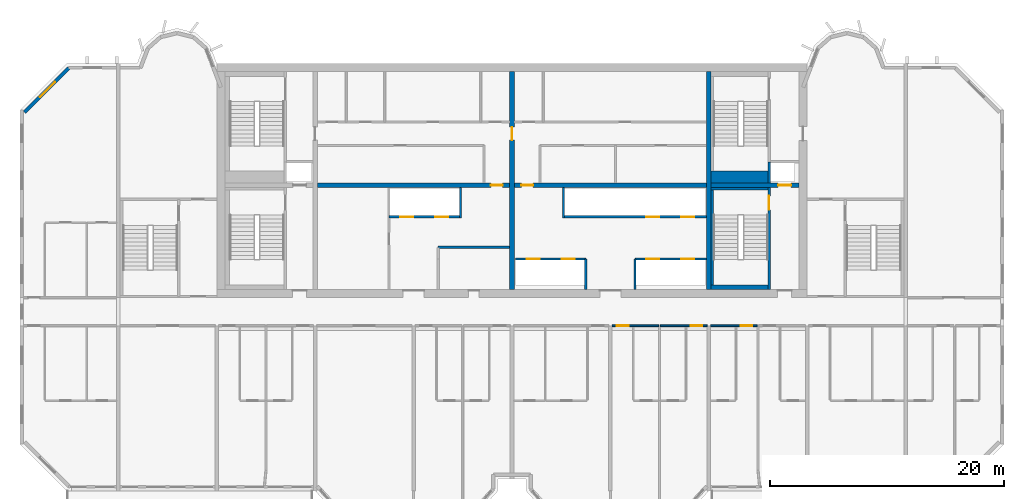
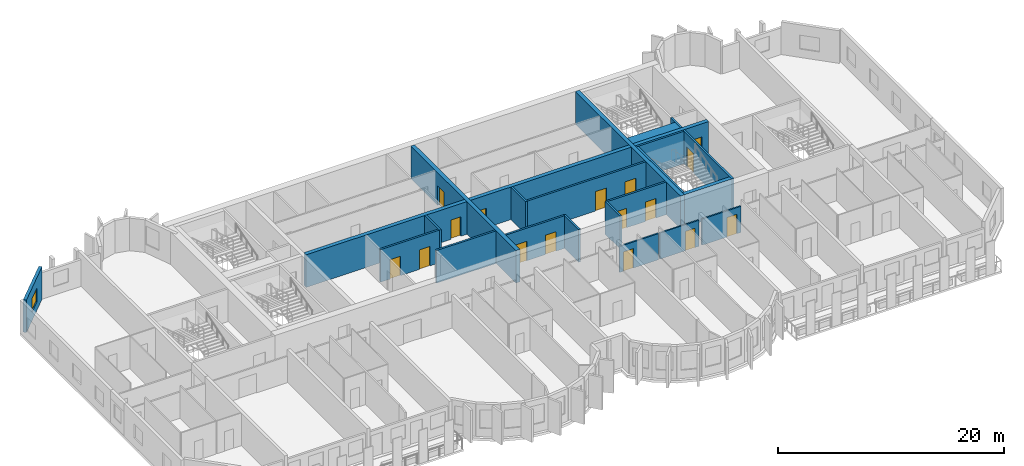
# One storey, part 6 of 13: 24 walls, 16 doors, 1 window, 17 openings.
"""IFC4 building model written with IfcOpenShell, lengths in metres."""

from ifc_helpers import new_model, si_unit, direction, frame, frame_2d, origin, place, context, subcontext, project, spatial, rectangle, extrude, source, transform, mapped, material, layer, layer_set, type_object, element, fill, save


model = new_model("IFC4")

# Units and contexts
model_context = context("Model", 3, precision=1e-05, world=origin(), true_north=direction((0.0, 1.0)))
body_context = subcontext(model_context, "Body", "Model", "MODEL_VIEW")
ifc_project = project(units=[si_unit("LENGTHUNIT", "METRE"), si_unit("AREAUNIT", "SQUARE_METRE"), si_unit("VOLUMEUNIT", "CUBIC_METRE"), si_unit("PLANEANGLEUNIT", "RADIAN"), si_unit("MASSUNIT", "GRAM", prefix="KILO")], contexts=[model_context])

# Site, building, storey
site_placement = place(None, origin())
site = spatial("IfcSite", under=ifc_project, at=site_placement, CompositionType="ELEMENT")
building_placement = place(site_placement, origin())
building = spatial("IfcBuilding", under=site, at=building_placement, Name="Vanashikhar Sky Hotel", CompositionType="ELEMENT")
storey_placement = place(building_placement, frame((0.0, 0.0, 159.199951171875)))
storey = spatial("IfcBuildingStorey", under=building, at=storey_placement, Name="L38", CompositionType="ELEMENT", Elevation=159.199951171875)

# Wall, opening, door
ifc_material_1 = material(Name="Concrete M60", Category="concrete")
ifc_layer_1 = layer(ifc_material_1, 0.39990234375)
ifc_layer_set_1 = layer_set([ifc_layer_1], Name="RC core inner wall 400 Concrete M60")
wall_type_1 = type_object("IfcWallType", Name="RC core inner wall 400 Concrete M60", PredefinedType="SHEAR", material=ifc_layer_set_1)
shared_shape_1 = source(origin(), body_context, "Body", "SweptSolid", [
    extrude(rectangle(XDim=18.60009765625, YDim=0.39990234375, at=frame_2d((9.300048828125, 0.0))), origin(), (0.0, 0.0, 1.0), 3.52001953125),
])
wall_1_placement = place(storey_placement, frame((50.39990234375, 22.699951171875, 0.0), z_axis=(0.0, 0.0, 1.0), x_axis=(0.0, 1.0, 0.0)))
wall_1 = element("IfcWall", 1, at=wall_1_placement, inside=storey, type_object=wall_type_1, Name="KW-L38-KX2", PredefinedType="SHEAR", context=body_context, shape_type="MappedRepresentation", body=[
    mapped(shared_shape_1, transform((0.0, 0.0, 0.0), scale=1.0)),
])
shared_shape_2 = source(origin(), body_context, "Body", "SweptSolid", [
    extrude(rectangle(XDim=1.10009765625, YDim=2.10009765625, at=frame_2d((0.550048828125, 1.050048828125))), frame((0.0, 0.2099609375, 0.0), z_axis=(0.0, -1.0, 0.0), x_axis=(1.0, 0.0, 0.0)), (0.0, 0.0, 1.0), 0.419921875),
])
opening_1_placement = place(wall_1_placement, frame((12.75, 0.0, 0.0)))
opening_1 = element("IfcOpeningElement", 2, at=opening_1_placement, cuts=wall_1, Name="Opening DC-4-C", PredefinedType="OPENING", context=body_context, shape_type="MappedRepresentation", body=[
    mapped(shared_shape_2, transform((0.0, 0.0, 0.0), scale=1.0)),
])
ifc_material_2 = material(Name="Steel", Category="steel")
door_type_1 = type_object("IfcDoorType", Name="Service door 1100 FD60", OperationType="NOTDEFINED", PredefinedType="DOOR", material=ifc_material_2)
shared_shape_3 = source(origin(), body_context, "Body", "SweptSolid", [
    extrude(rectangle(XDim=1.10009765625, YDim=2.10009765625, at=frame_2d((0.550048828125, 1.050048828125))), frame((0.0, 0.02490234375, 0.0), z_axis=(0.0, -1.0, 0.0), x_axis=(1.0, 0.0, 0.0)), (0.0, 0.0, 1.0), 0.050048828125),
])
door_1_placement = place(opening_1_placement, origin())
door_1 = element("IfcDoor", 3, at=door_1_placement, inside=storey, type_object=door_type_1, Name="Service door 1100 FD60", OperationType="SINGLE_SWING_RIGHT", OverallHeight=2.10009765625, OverallWidth=1.10009765625, PredefinedType="DOOR", context=body_context, shape_type="MappedRepresentation", body=[
    mapped(shared_shape_3, transform((0.0, 0.0, 0.0), scale=1.0)),
])
fill(opening_1, door_1)

# Wall
wall_2_placement = place(storey_placement, frame((67.199951171875, 22.699951171875, 0.0), z_axis=(0.0, 0.0, 1.0), x_axis=(0.0, 1.0, 0.0)))
element("IfcWall", 4, at=wall_2_placement, inside=storey, type_object=wall_type_1, Name="KW-L38-KX3", PredefinedType="SHEAR", context=body_context, shape_type="MappedRepresentation", body=[
    mapped(shared_shape_1, transform((0.0, 0.0, 0.0), scale=1.0)),
])

# Wall, opening, door
shared_shape_4 = source(origin(), body_context, "Body", "SweptSolid", [
    extrude(rectangle(XDim=7.5, YDim=0.39990234375, at=frame_2d((3.75, 0.0))), origin(), (0.0, 0.0, 1.0), 3.52001953125),
])
wall_3_placement = place(storey_placement, frame((67.39990234375, 31.60009765625, 0.0), z_axis=(0.0, 0.0, 1.0), x_axis=(1.0, 0.0, 0.0)))
wall_3 = element("IfcWall", 5, at=wall_3_placement, inside=storey, type_object=wall_type_1, Name="KW-L38-KY4", PredefinedType="SHEAR", context=body_context, shape_type="MappedRepresentation", body=[
    mapped(shared_shape_4, transform((0.0, 0.0, 0.0), scale=1.0)),
])
opening_2_placement = place(wall_3_placement, frame((5.72509765625, 0.0, 0.0)))
opening_2 = element("IfcOpeningElement", 6, at=opening_2_placement, cuts=wall_3, Name="Opening LD", PredefinedType="OPENING", context=body_context, shape_type="MappedRepresentation", body=[
    mapped(shared_shape_2, transform((0.0, 0.0, 0.0), scale=1.0)),
])
ifc_material_3 = material(Name="Stainless steel", Category="steel")
door_type_2 = type_object("IfcDoorType", Name="Lift landing door 1100", OperationType="NOTDEFINED", PredefinedType="DOOR", material=ifc_material_3)
door_2_placement = place(opening_2_placement, origin())
door_2 = element("IfcDoor", 7, at=door_2_placement, inside=storey, type_object=door_type_2, Name="Lift landing door 1100", OperationType="SLIDING_TO_RIGHT", OverallHeight=2.10009765625, OverallWidth=1.10009765625, PredefinedType="DOOR", context=body_context, shape_type="MappedRepresentation", body=[
    mapped(shared_shape_3, transform((0.0, 0.0, 0.0), scale=1.0)),
])
fill(opening_2, door_2)

shared_shape_5 = source(origin(), body_context, "Body", "SweptSolid", [
    extrude(rectangle(XDim=16.39990234375, YDim=0.39990234375, at=frame_2d((8.199951171875, 0.0))), origin(), (0.0, 0.0, 1.0), 3.52001953125),
])
wall_4_placement = place(storey_placement, frame((33.800048828125, 31.60009765625, 0.0), z_axis=(0.0, 0.0, 1.0), x_axis=(1.0, 0.0, 0.0)))
wall_4 = element("IfcWall", 8, at=wall_4_placement, inside=storey, type_object=wall_type_1, Name="KW-L38-KY2", PredefinedType="SHEAR", context=body_context, shape_type="MappedRepresentation", body=[
    mapped(shared_shape_5, transform((0.0, 0.0, 0.0), scale=1.0)),
])
shared_shape_6 = source(origin(), body_context, "Body", "SweptSolid", [
    extrude(rectangle(XDim=1.0, YDim=2.10009765625, at=frame_2d((0.5, 1.050048828125))), frame((0.0, 0.2099609375, 0.0), z_axis=(0.0, -1.0, 0.0), x_axis=(1.0, 0.0, 0.0)), (0.0, 0.0, 1.0), 0.419921875),
])
opening_3_placement = place(wall_4_placement, frame((14.800048828125, 0.0, 0.0)))
opening_3 = element("IfcOpeningElement", 9, at=opening_3_placement, cuts=wall_4, Name="Opening DC-4", PredefinedType="OPENING", context=body_context, shape_type="MappedRepresentation", body=[
    mapped(shared_shape_6, transform((0.0, 0.0, 0.0), scale=1.0)),
])
door_type_3 = type_object("IfcDoorType", Name="Service door 1000 FD60", OperationType="NOTDEFINED", PredefinedType="DOOR", material=ifc_material_2)
shared_shape_7 = source(origin(), body_context, "Body", "SweptSolid", [
    extrude(rectangle(XDim=1.0, YDim=2.10009765625, at=frame_2d((0.5, 1.050048828125))), frame((0.0, 0.02490234375, 0.0), z_axis=(0.0, -1.0, 0.0), x_axis=(1.0, 0.0, 0.0)), (0.0, 0.0, 1.0), 0.050048828125),
])
door_3_placement = place(opening_3_placement, origin())
door_3 = element("IfcDoor", 10, at=door_3_placement, inside=storey, type_object=door_type_3, Name="Service door 1000 FD60", OperationType="SINGLE_SWING_LEFT", OverallHeight=2.10009765625, OverallWidth=1.0, PredefinedType="DOOR", context=body_context, shape_type="MappedRepresentation", body=[
    mapped(shared_shape_7, transform((0.0, 0.0, 0.0), scale=1.0)),
])
fill(opening_3, door_3)

wall_5_placement = place(storey_placement, frame((50.60009765625, 31.60009765625, 0.0), z_axis=(0.0, 0.0, 1.0), x_axis=(1.0, 0.0, 0.0)))
wall_5 = element("IfcWall", 11, at=wall_5_placement, inside=storey, type_object=wall_type_1, Name="KW-L38-KY3", PredefinedType="SHEAR", context=body_context, shape_type="MappedRepresentation", body=[
    mapped(shared_shape_5, transform((0.0, 0.0, 0.0), scale=1.0)),
])
opening_4_placement = place(wall_5_placement, frame((0.60009765625, 0.0, 0.0)))
opening_4 = element("IfcOpeningElement", 12, at=opening_4_placement, cuts=wall_5, Name="Opening DC-4", PredefinedType="OPENING", context=body_context, shape_type="MappedRepresentation", body=[
    mapped(shared_shape_6, transform((0.0, 0.0, 0.0), scale=1.0)),
])
door_4_placement = place(opening_4_placement, origin())
door_4 = element("IfcDoor", 13, at=door_4_placement, inside=storey, type_object=door_type_3, Name="Service door 1000 FD60", OperationType="SINGLE_SWING_RIGHT", OverallHeight=2.10009765625, OverallWidth=1.0, PredefinedType="DOOR", context=body_context, shape_type="MappedRepresentation", body=[
    mapped(shared_shape_7, transform((0.0, 0.0, 0.0), scale=1.0)),
])
fill(opening_4, door_4)

# Wall, opening, window
ifc_material_4 = material(Name="Concrete M50", Category="concrete")
ifc_layer_2 = layer(ifc_material_4, 0.300048828125)
ifc_layer_set_2 = layer_set([ifc_layer_2], Name="Lobe wall 300")
wall_type_2 = type_object("IfcWallType", Name="Lobe wall 300", PredefinedType="SOLIDWALL", material=ifc_layer_set_2)
shared_shape_8 = source(origin(), body_context, "Body", "SweptSolid", [
    extrude(rectangle(XDim=5.32568359375, YDim=0.300048828125, at=frame_2d((2.662841796875, 0.0))), origin(), (0.0, 0.0, 1.0), 3.52001953125),
])
wall_6_placement = place(storey_placement, frame((12.565673828125, 41.60009765625, 0.0), z_axis=(0.0, 0.0, 1.0), x_axis=(-0.707083859269, -0.707129702361, 0.0)))
wall_6 = element("IfcWall", 14, at=wall_6_placement, inside=storey, type_object=wall_type_2, Name="Corner wall", PredefinedType="SOLIDWALL", context=body_context, shape_type="MappedRepresentation", body=[
    mapped(shared_shape_8, transform((0.0, 0.0, 0.0), scale=1.0)),
])
shared_shape_9 = source(origin(), body_context, "Body", "SweptSolid", [
    extrude(rectangle(XDim=1.800048828125, YDim=1.5, at=frame_2d((0.89990234375, 0.75))), frame((0.0, 0.16015625, 0.0), z_axis=(0.0, -1.0, 0.0), x_axis=(1.0, 0.0, 0.0)), (0.0, 0.0, 1.0), 0.320068359375),
])
opening_5_placement = place(wall_6_placement, frame((1.689453125, 0.0, 0.89990234375)))
opening_5 = element("IfcOpeningElement", 15, at=opening_5_placement, cuts=wall_6, Name="Opening WN-4", PredefinedType="OPENING", context=body_context, shape_type="MappedRepresentation", body=[
    mapped(shared_shape_9, transform((0.0, 0.0, 0.0), scale=1.0)),
])
ifc_material_5 = material(Name="Glass", Category="glass")
window_type = type_object("IfcWindowType", Name="Corner window 1800 x 1500", PartitioningType="SINGLE_PANEL", PredefinedType="WINDOW", material=ifc_material_5)
shared_shape_10 = source(origin(), body_context, "Body", "SweptSolid", [
    extrude(rectangle(XDim=1.800048828125, YDim=1.5, at=frame_2d((0.89990234375, 0.75))), frame((0.0, 0.030029296875, 0.0), z_axis=(0.0, -1.0, 0.0), x_axis=(1.0, 0.0, 0.0)), (0.0, 0.0, 1.0), 0.06005859375),
])
window_placement = place(opening_5_placement, origin())
window = element("IfcWindow", 16, at=window_placement, inside=storey, type_object=window_type, Name="Window WN-4", OverallHeight=1.5, OverallWidth=1.800048828125, PartitioningType="SINGLE_PANEL", PredefinedType="WINDOW", context=body_context, shape_type="MappedRepresentation", body=[
    mapped(shared_shape_10, transform((0.0, 0.0, 0.0), scale=1.0)),
])
fill(opening_5, window)

# Wall, openings, doors
ifc_material_6 = material(Name="Concrete M40", Category="concrete")
ifc_layer_3 = layer(ifc_material_6, 0.199951171875)
ifc_layer_set_3 = layer_set([ifc_layer_3], Name="Shaft wall 200")
wall_type_3 = type_object("IfcWallType", Name="Shaft wall 200", PredefinedType="SOLIDWALL", material=ifc_layer_set_3)
shared_shape_11 = source(origin(), body_context, "Body", "SweptSolid", [
    extrude(rectangle(XDim=6.0, YDim=0.199951171875, at=frame_2d((3.0, 0.0))), origin(), (0.0, 0.0, 1.0), 3.52001953125),
])
wall_7_placement = place(storey_placement, frame((39.89990234375, 28.89990234375, 0.0), z_axis=(0.0, 0.0, 1.0), x_axis=(1.0, 0.0, 0.0)))
wall_7 = element("IfcWall", 17, at=wall_7_placement, inside=storey, type_object=wall_type_3, Name="Shaft wall 200", PredefinedType="SOLIDWALL", context=body_context, shape_type="MappedRepresentation", body=[
    mapped(shared_shape_11, transform((0.0, 0.0, 0.0), scale=1.0)),
])
shared_shape_12 = source(origin(), body_context, "Body", "SweptSolid", [
    extrude(rectangle(XDim=1.10009765625, YDim=2.10009765625, at=frame_2d((0.550048828125, 1.050048828125))), frame((0.0, 0.10986328125, 0.0), z_axis=(0.0, -1.0, 0.0), x_axis=(1.0, 0.0, 0.0)), (0.0, 0.0, 1.0), 0.219970703125),
])
opening_6_placement = place(wall_7_placement, frame((0.949951171875, 0.0, 0.0)))
opening_6 = element("IfcOpeningElement", 18, at=opening_6_placement, cuts=wall_7, Name="Opening LD", PredefinedType="OPENING", context=body_context, shape_type="MappedRepresentation", body=[
    mapped(shared_shape_12, transform((0.0, 0.0, 0.0), scale=1.0)),
])
opening_7_placement = place(wall_7_placement, frame((3.949951171875, 0.0, 0.0)))
opening_7 = element("IfcOpeningElement", 19, at=opening_7_placement, cuts=wall_7, Name="Opening LD", PredefinedType="OPENING", context=body_context, shape_type="MappedRepresentation", body=[
    mapped(shared_shape_12, transform((0.0, 0.0, 0.0), scale=1.0)),
])
door_5_placement = place(opening_6_placement, origin())
door_5 = element("IfcDoor", 20, at=door_5_placement, inside=storey, type_object=door_type_2, Name="Lift landing door 1100", OperationType="SLIDING_TO_LEFT", OverallHeight=2.10009765625, OverallWidth=1.10009765625, PredefinedType="DOOR", context=body_context, shape_type="MappedRepresentation", body=[
    mapped(shared_shape_3, transform((0.0, 0.0, 0.0), scale=1.0)),
])
fill(opening_6, door_5)
door_6_placement = place(opening_7_placement, origin())
door_6 = element("IfcDoor", 21, at=door_6_placement, inside=storey, type_object=door_type_2, Name="Lift landing door 1100", OperationType="SLIDING_TO_RIGHT", OverallHeight=2.10009765625, OverallWidth=1.10009765625, PredefinedType="DOOR", context=body_context, shape_type="MappedRepresentation", body=[
    mapped(shared_shape_3, transform((0.0, 0.0, 0.0), scale=1.0)),
])
fill(opening_7, door_6)

wall_8_placement = place(storey_placement, frame((56.699951171875, 25.300048828125, 0.0), z_axis=(0.0, 0.0, 1.0), x_axis=(-1.0, 0.0, 0.0)))
wall_8 = element("IfcWall", 22, at=wall_8_placement, inside=storey, type_object=wall_type_3, Name="Shaft wall 200", PredefinedType="SOLIDWALL", context=body_context, shape_type="MappedRepresentation", body=[
    mapped(shared_shape_11, transform((0.0, 0.0, 0.0), scale=1.0)),
])
opening_8_placement = place(wall_8_placement, frame((0.949951171875, 0.0, 0.0)))
opening_8 = element("IfcOpeningElement", 23, at=opening_8_placement, cuts=wall_8, Name="Opening LD", PredefinedType="OPENING", context=body_context, shape_type="MappedRepresentation", body=[
    mapped(shared_shape_12, transform((0.0, 0.0, 0.0), scale=1.0)),
])
opening_9_placement = place(wall_8_placement, frame((3.949951171875, 0.0, 0.0)))
opening_9 = element("IfcOpeningElement", 24, at=opening_9_placement, cuts=wall_8, Name="Opening LD", PredefinedType="OPENING", context=body_context, shape_type="MappedRepresentation", body=[
    mapped(shared_shape_12, transform((0.0, 0.0, 0.0), scale=1.0)),
])
door_7_placement = place(opening_8_placement, origin())
door_7 = element("IfcDoor", 25, at=door_7_placement, inside=storey, type_object=door_type_2, Name="Lift landing door 1100", OperationType="SLIDING_TO_RIGHT", OverallHeight=2.10009765625, OverallWidth=1.10009765625, PredefinedType="DOOR", context=body_context, shape_type="MappedRepresentation", body=[
    mapped(shared_shape_3, transform((0.0, 0.0, 0.0), scale=1.0)),
])
fill(opening_8, door_7)
door_8_placement = place(opening_9_placement, origin())
door_8 = element("IfcDoor", 26, at=door_8_placement, inside=storey, type_object=door_type_2, Name="Lift landing door 1100", OperationType="SLIDING_TO_LEFT", OverallHeight=2.10009765625, OverallWidth=1.10009765625, PredefinedType="DOOR", context=body_context, shape_type="MappedRepresentation", body=[
    mapped(shared_shape_3, transform((0.0, 0.0, 0.0), scale=1.0)),
])
fill(opening_9, door_8)

# Walls
ifc_layer_4 = layer(ifc_material_4, 0.199951171875)
ifc_layer_set_4 = layer_set([ifc_layer_4], Name="Stair infill wall 200")
wall_type_4 = type_object("IfcWallType", Name="Stair infill wall 200", PredefinedType="SOLIDWALL", material=ifc_layer_set_4)
shared_shape_13 = source(origin(), body_context, "Body", "SweptSolid", [
    extrude(rectangle(XDim=8.099853515625, YDim=0.199951171875, at=frame_2d((4.0498046875, 0.0))), origin(), (0.0, 0.0, 1.0), 3.52001953125),
])
wall_9_placement = place(storey_placement, frame((67.5, 23.10009765625, 0.0), z_axis=(0.0, 0.0, 1.0), x_axis=(0.0, 1.0, 0.0)))
element("IfcWall", 27, at=wall_9_placement, inside=storey, type_object=wall_type_4, Name="Stair infill wall 200", PredefinedType="SOLIDWALL", context=body_context, shape_type="MappedRepresentation", body=[
    mapped(shared_shape_13, transform((0.0, 0.0, 0.0), scale=1.0)),
])
shared_shape_14 = source(origin(), body_context, "Body", "SweptSolid", [
    extrude(rectangle(XDim=2.60009765625, YDim=0.199951171875, at=frame_2d((1.300048828125, 0.0))), origin(), (0.0, 0.0, 1.0), 3.52001953125),
])
for number, where, z_axis, x_axis, name in (
    (28, (60.89990234375, 22.699951171875, 0.0), (0.0, 0.0, 1.0), (0.0, 1.0, 0.0), "Shaft wall 200"),
    (29, (56.699951171875, 22.699951171875, 0.0), (0.0, 0.0, 1.0), (0.0, 1.0, 0.0), "Shaft wall 200"),
):
    element("IfcWall", number, at=place(storey_placement, frame(where, z_axis=z_axis, x_axis=x_axis)), inside=storey, type_object=wall_type_3, Name=name, PredefinedType="SOLIDWALL", context=body_context, shape_type="MappedRepresentation", body=[
        mapped(shared_shape_14, transform((0.0, 0.0, 0.0), scale=1.0)),
    ])
shared_shape_15 = source(origin(), body_context, "Body", "SweptSolid", [
    extrude(rectangle(XDim=2.599853515625, YDim=0.199951171875, at=frame_2d((1.2998046875, 0.0))), origin(), (0.0, 0.0, 1.0), 3.52001953125),
])
for number, where, z_axis, x_axis, name in (
    (30, (46.0, 28.800048828125, 0.0), (0.0, 0.0, 1.0), (0.0, 1.0, 0.0), "Shaft wall 200"),
    (31, (54.800048828125, 28.800048828125, 0.0), (0.0, 0.0, 1.0), (0.0, 1.0, 0.0), "Shaft wall 200"),
):
    element("IfcWall", number, at=place(storey_placement, frame(where, z_axis=z_axis, x_axis=x_axis)), inside=storey, type_object=wall_type_3, Name=name, PredefinedType="SOLIDWALL", context=body_context, shape_type="MappedRepresentation", body=[
        mapped(shared_shape_15, transform((0.0, 0.0, 0.0), scale=1.0)),
    ])
ifc_material_7 = material(Name="Gypsum board partition")
ifc_layer_5 = layer(ifc_material_7, 0.14990234375)
ifc_layer_set_5 = layer_set([ifc_layer_5], Name="Service partition 150")
wall_type_5 = type_object("IfcWallType", Name="Service partition 150", PredefinedType="PARTITIONING", material=ifc_layer_set_5)
shared_shape_16 = source(origin(), body_context, "Body", "SweptSolid", [
    extrude(rectangle(XDim=6.099853515625, YDim=0.199951171875, at=frame_2d((3.0498046875, 0.0))), origin(), (0.0, 0.0, 1.0), 3.52001953125),
])
wall_10_placement = place(storey_placement, frame((44.10009765625, 26.300048828125, 0.0), z_axis=(0.0, 0.0, 1.0), x_axis=(1.0, 0.0, 0.0)))
element("IfcWall", 32, at=wall_10_placement, inside=storey, type_object=wall_type_5, Name="Service partition 150", PredefinedType="PARTITIONING", context=body_context, shape_type="MappedRepresentation", body=[
    mapped(shared_shape_16, transform((0.0, 0.0, 0.0), scale=1.0)),
])

# Wall, openings, doors
shared_shape_17 = source(origin(), body_context, "Body", "SweptSolid", [
    extrude(rectangle(XDim=6.10009765625, YDim=0.199951171875, at=frame_2d((3.050048828125, 0.0))), origin(), (0.0, 0.0, 1.0), 3.52001953125),
])
wall_11_placement = place(storey_placement, frame((67.0, 25.300048828125, 0.0), z_axis=(0.0, 0.0, 1.0), x_axis=(-1.0, 0.0, 0.0)))
wall_11 = element("IfcWall", 33, at=wall_11_placement, inside=storey, type_object=wall_type_3, Name="Shaft wall 200", PredefinedType="SOLIDWALL", context=body_context, shape_type="MappedRepresentation", body=[
    mapped(shared_shape_17, transform((0.0, 0.0, 0.0), scale=1.0)),
])
opening_10_placement = place(wall_11_placement, frame((1.050048828125, 0.0, 0.0)))
opening_10 = element("IfcOpeningElement", 34, at=opening_10_placement, cuts=wall_11, Name="Opening LD", PredefinedType="OPENING", context=body_context, shape_type="MappedRepresentation", body=[
    mapped(shared_shape_12, transform((0.0, 0.0, 0.0), scale=1.0)),
])
opening_11_placement = place(wall_11_placement, frame((4.050048828125, 0.0, 0.0)))
opening_11 = element("IfcOpeningElement", 35, at=opening_11_placement, cuts=wall_11, Name="Opening LD", PredefinedType="OPENING", context=body_context, shape_type="MappedRepresentation", body=[
    mapped(shared_shape_12, transform((0.0, 0.0, 0.0), scale=1.0)),
])
door_9_placement = place(opening_10_placement, origin())
door_9 = element("IfcDoor", 36, at=door_9_placement, inside=storey, type_object=door_type_2, Name="Lift landing door 1100", OperationType="SLIDING_TO_RIGHT", OverallHeight=2.10009765625, OverallWidth=1.10009765625, PredefinedType="DOOR", context=body_context, shape_type="MappedRepresentation", body=[
    mapped(shared_shape_3, transform((0.0, 0.0, 0.0), scale=1.0)),
])
fill(opening_10, door_9)
door_10_placement = place(opening_11_placement, origin())
door_10 = element("IfcDoor", 37, at=door_10_placement, inside=storey, type_object=door_type_2, Name="Lift landing door 1100", OperationType="SLIDING_TO_LEFT", OverallHeight=2.10009765625, OverallWidth=1.10009765625, PredefinedType="DOOR", context=body_context, shape_type="MappedRepresentation", body=[
    mapped(shared_shape_3, transform((0.0, 0.0, 0.0), scale=1.0)),
])
fill(opening_11, door_10)

shared_shape_18 = source(origin(), body_context, "Body", "SweptSolid", [
    extrude(rectangle(XDim=12.10009765625, YDim=0.199951171875, at=frame_2d((6.050048828125, 0.0))), origin(), (0.0, 0.0, 1.0), 3.52001953125),
])
wall_12_placement = place(storey_placement, frame((67.0, 28.89990234375, 0.0), z_axis=(0.0, 0.0, 1.0), x_axis=(-1.0, 0.0, 0.0)))
wall_12 = element("IfcWall", 38, at=wall_12_placement, inside=storey, type_object=wall_type_3, Name="Shaft wall 200", PredefinedType="SOLIDWALL", context=body_context, shape_type="MappedRepresentation", body=[
    mapped(shared_shape_18, transform((0.0, 0.0, 0.0), scale=1.0)),
])
opening_12_placement = place(wall_12_placement, frame((1.050048828125, 0.0, 0.0)))
opening_12 = element("IfcOpeningElement", 39, at=opening_12_placement, cuts=wall_12, Name="Opening LD", PredefinedType="OPENING", context=body_context, shape_type="MappedRepresentation", body=[
    mapped(shared_shape_12, transform((0.0, 0.0, 0.0), scale=1.0)),
])
opening_13_placement = place(wall_12_placement, frame((4.050048828125, 0.0, 0.0)))
opening_13 = element("IfcOpeningElement", 40, at=opening_13_placement, cuts=wall_12, Name="Opening LD", PredefinedType="OPENING", context=body_context, shape_type="MappedRepresentation", body=[
    mapped(shared_shape_12, transform((0.0, 0.0, 0.0), scale=1.0)),
])
door_11_placement = place(opening_12_placement, origin())
door_11 = element("IfcDoor", 41, at=door_11_placement, inside=storey, type_object=door_type_2, Name="Lift landing door 1100", OperationType="SLIDING_TO_RIGHT", OverallHeight=2.10009765625, OverallWidth=1.10009765625, PredefinedType="DOOR", context=body_context, shape_type="MappedRepresentation", body=[
    mapped(shared_shape_3, transform((0.0, 0.0, 0.0), scale=1.0)),
])
fill(opening_12, door_11)
door_12_placement = place(opening_13_placement, origin())
door_12 = element("IfcDoor", 42, at=door_12_placement, inside=storey, type_object=door_type_2, Name="Lift landing door 1100", OperationType="SLIDING_TO_LEFT", OverallHeight=2.10009765625, OverallWidth=1.10009765625, PredefinedType="DOOR", context=body_context, shape_type="MappedRepresentation", body=[
    mapped(shared_shape_3, transform((0.0, 0.0, 0.0), scale=1.0)),
])
fill(opening_13, door_12)

# Wall, opening, door
ifc_layer_6 = layer(ifc_material_4, 0.199951171875)
ifc_layer_set_6 = layer_set([ifc_layer_6], Name="Stair wall 200")
wall_type_6 = type_object("IfcWallType", Name="Stair wall 200", PredefinedType="SOLIDWALL", material=ifc_layer_set_6)
shared_shape_19 = source(origin(), body_context, "Body", "SweptSolid", [
    extrude(rectangle(XDim=8.699951171875, YDim=0.199951171875, at=frame_2d((4.35009765625, 0.0))), origin(), (0.0, 0.0, 1.0), 3.52001953125),
])
wall_13_placement = place(storey_placement, frame((72.35009765625, 22.699951171875, 0.0), z_axis=(0.0, 0.0, 1.0), x_axis=(0.0, 1.0, 0.0)))
wall_13 = element("IfcWall", 43, at=wall_13_placement, inside=storey, type_object=wall_type_6, Name="Stair wall 200", PredefinedType="SOLIDWALL", context=body_context, shape_type="MappedRepresentation", body=[
    mapped(shared_shape_19, transform((0.0, 0.0, 0.0), scale=1.0)),
])
shared_shape_20 = source(origin(), body_context, "Body", "SweptSolid", [
    extrude(rectangle(XDim=1.199951171875, YDim=2.10009765625, at=frame_2d((0.60009765625, 1.050048828125))), frame((0.0, 0.10986328125, 0.0), z_axis=(0.0, -1.0, 0.0), x_axis=(1.0, 0.0, 0.0)), (0.0, 0.0, 1.0), 0.219970703125),
])
opening_14_placement = place(wall_13_placement, frame((6.800048828125, 0.0, 0.0)))
opening_14 = element("IfcOpeningElement", 44, at=opening_14_placement, cuts=wall_13, Name="Opening DC-1", PredefinedType="OPENING", context=body_context, shape_type="MappedRepresentation", body=[
    mapped(shared_shape_20, transform((0.0, 0.0, 0.0), scale=1.0)),
])
door_type_4 = type_object("IfcDoorType", Name="Stair door 1200 FD120", OperationType="NOTDEFINED", PredefinedType="DOOR", material=ifc_material_2)
shared_shape_21 = source(origin(), body_context, "Body", "SweptSolid", [
    extrude(rectangle(XDim=1.199951171875, YDim=2.10009765625, at=frame_2d((0.60009765625, 1.050048828125))), frame((0.0, 0.02490234375, 0.0), z_axis=(0.0, -1.0, 0.0), x_axis=(1.0, 0.0, 0.0)), (0.0, 0.0, 1.0), 0.050048828125),
])
door_13_placement = place(opening_14_placement, origin())
door_13 = element("IfcDoor", 45, at=door_13_placement, inside=storey, type_object=door_type_4, Name="Stair door 1200 FD120", OperationType="SINGLE_SWING_LEFT", OverallHeight=2.10009765625, OverallWidth=1.199951171875, PredefinedType="DOOR", context=body_context, shape_type="MappedRepresentation", body=[
    mapped(shared_shape_21, transform((0.0, 0.0, 0.0), scale=1.0)),
])
fill(opening_14, door_13)

# Walls
shared_shape_22 = source(origin(), body_context, "Body", "SweptSolid", [
    extrude(rectangle(XDim=1.800048828125, YDim=0.199951171875, at=frame_2d((0.89990234375, 0.0))), origin(), (0.0, 0.0, 1.0), 3.52001953125),
])
wall_14_placement = place(storey_placement, frame((72.35009765625, 31.800048828125, 0.0), z_axis=(0.0, 0.0, 1.0), x_axis=(0.0, 1.0, 0.0)))
element("IfcWall", 46, at=wall_14_placement, inside=storey, type_object=wall_type_3, Name="Shaft wall 200", PredefinedType="SOLIDWALL", context=body_context, shape_type="MappedRepresentation", body=[
    mapped(shared_shape_22, transform((0.0, 0.0, 0.0), scale=1.0)),
])
ifc_layer_7 = layer(ifc_material_4, 0.39990234375)
ifc_layer_set_7 = layer_set([ifc_layer_7], Name="Stair infill wall 400")
wall_type_7 = type_object("IfcWallType", Name="Stair infill wall 400", PredefinedType="SOLIDWALL", material=ifc_layer_set_7)
shared_shape_23 = source(origin(), body_context, "Body", "SweptSolid", [
    extrude(rectangle(XDim=4.85009765625, YDim=0.39990234375, at=frame_2d((2.425048828125, 0.0))), origin(), (0.0, 0.0, 1.0), 3.52001953125),
])
wall_15_placement = place(storey_placement, frame((67.39990234375, 22.89990234375, 0.0), z_axis=(0.0, 0.0, 1.0), x_axis=(1.0, 0.0, 0.0)))
element("IfcWall", 47, at=wall_15_placement, inside=storey, type_object=wall_type_7, Name="Stair infill wall 400", PredefinedType="SOLIDWALL", context=body_context, shape_type="MappedRepresentation", body=[
    mapped(shared_shape_23, transform((0.0, 0.0, 0.0), scale=1.0)),
])
shared_shape_24 = source(origin(), body_context, "Body", "SweptSolid", [
    extrude(rectangle(XDim=4.85009765625, YDim=0.199951171875, at=frame_2d((2.425048828125, 0.0))), origin(), (0.0, 0.0, 1.0), 3.52001953125),
])
wall_16_placement = place(storey_placement, frame((67.39990234375, 31.300048828125, 0.0), z_axis=(0.0, 0.0, 1.0), x_axis=(1.0, 0.0, 0.0)))
element("IfcWall", 48, at=wall_16_placement, inside=storey, type_object=wall_type_4, Name="Stair infill wall 200", PredefinedType="SOLIDWALL", context=body_context, shape_type="MappedRepresentation", body=[
    mapped(shared_shape_24, transform((0.0, 0.0, 0.0), scale=1.0)),
])
ifc_layer_8 = layer(ifc_material_4, 1.0)
ifc_layer_set_8 = layer_set([ifc_layer_8], Name="Stair infill wall 1000")
wall_type_8 = type_object("IfcWallType", Name="Stair infill wall 1000", PredefinedType="SOLIDWALL", material=ifc_layer_set_8)
shared_shape_25 = source(origin(), body_context, "Body", "SweptSolid", [
    extrude(rectangle(XDim=4.85009765625, YDim=1.0, at=frame_2d((2.425048828125, 0.0))), origin(), (0.0, 0.0, 1.0), 3.52001953125),
])
wall_17_placement = place(storey_placement, frame((67.39990234375, 32.300048828125, 0.0), z_axis=(0.0, 0.0, 1.0), x_axis=(1.0, 0.0, 0.0)))
element("IfcWall", 49, at=wall_17_placement, inside=storey, type_object=wall_type_8, Name="Stair infill wall 1000", PredefinedType="SOLIDWALL", context=body_context, shape_type="MappedRepresentation", body=[
    mapped(shared_shape_25, transform((0.0, 0.0, 0.0), scale=1.0)),
])

# Wall, opening, door
ifc_material_8 = material(Name="Gypsum plasterboard partition")
ifc_layer_9 = layer(ifc_material_8, 0.14990234375)
ifc_layer_set_9 = layer_set([ifc_layer_9], Name="Corridor and demising partition 150")
wall_type_9 = type_object("IfcWallType", Name="Corridor and demising partition 150", PredefinedType="PARTITIONING", material=ifc_layer_set_9)
shared_shape_26 = source(origin(), body_context, "Body", "SweptSolid", [
    extrude(rectangle(XDim=3.974853515625, YDim=0.14990234375, at=frame_2d((1.9873046875, 0.0))), origin(), (0.0, 0.0, 1.0), 2.820068359375),
])
wall_18_placement = place(storey_placement, frame((67.35009765625, 19.60009765625, 0.0), z_axis=(0.0, 0.0, 1.0), x_axis=(1.0, 0.0, 0.0)))
wall_18 = element("IfcWall", 50, at=wall_18_placement, inside=storey, type_object=wall_type_9, Name="W-L38-PW036", PredefinedType="PARTITIONING", context=body_context, shape_type="MappedRepresentation", body=[
    mapped(shared_shape_26, transform((0.0, 0.0, 0.0), scale=1.0)),
])
shared_shape_27 = source(origin(), body_context, "Body", "SweptSolid", [
    extrude(rectangle(XDim=1.0, YDim=2.10009765625, at=frame_2d((0.5, 1.050048828125))), frame((0.0, 0.0849609375, 0.0), z_axis=(0.0, -1.0, 0.0), x_axis=(1.0, 0.0, 0.0)), (0.0, 0.0, 1.0), 0.169921875),
])
opening_15_placement = place(wall_18_placement, frame((2.574951171875, 0.0, 0.0)))
opening_15 = element("IfcOpeningElement", 51, at=opening_15_placement, cuts=wall_18, Name="Opening D-01", PredefinedType="OPENING", context=body_context, shape_type="MappedRepresentation", body=[
    mapped(shared_shape_27, transform((0.0, 0.0, 0.0), scale=1.0)),
])
ifc_material_9 = material(Name="Timber fire door", Category="wood")
door_type_5 = type_object("IfcDoorType", Name="Guest entry door 1000 FD30S", OperationType="NOTDEFINED", PredefinedType="DOOR", material=ifc_material_9)
door_14_placement = place(opening_15_placement, origin())
door_14 = element("IfcDoor", 52, at=door_14_placement, inside=storey, type_object=door_type_5, Name="D-L38-022", OperationType="SINGLE_SWING_RIGHT", OverallHeight=2.10009765625, OverallWidth=1.0, PredefinedType="DOOR", context=body_context, shape_type="MappedRepresentation", body=[
    mapped(shared_shape_7, transform((0.0, 0.0, 0.0), scale=1.0)),
])
fill(opening_15, door_14)

shared_shape_28 = source(origin(), body_context, "Body", "SweptSolid", [
    extrude(rectangle(XDim=3.97509765625, YDim=0.14990234375, at=frame_2d((1.987548828125, 0.0))), origin(), (0.0, 0.0, 1.0), 2.820068359375),
])
wall_19_placement = place(storey_placement, frame((58.949951171875, 19.60009765625, 0.0), z_axis=(0.0, 0.0, 1.0), x_axis=(1.0, 0.0, 0.0)))
wall_19 = element("IfcWall", 53, at=wall_19_placement, inside=storey, type_object=wall_type_9, Name="W-L38-PW029", PredefinedType="PARTITIONING", context=body_context, shape_type="MappedRepresentation", body=[
    mapped(shared_shape_28, transform((0.0, 0.0, 0.0), scale=1.0)),
])
opening_16_placement = place(wall_19_placement, frame((0.39990234375, 0.0, 0.0)))
opening_16 = element("IfcOpeningElement", 54, at=opening_16_placement, cuts=wall_19, Name="Opening D-01", PredefinedType="OPENING", context=body_context, shape_type="MappedRepresentation", body=[
    mapped(shared_shape_27, transform((0.0, 0.0, 0.0), scale=1.0)),
])
door_15_placement = place(opening_16_placement, origin())
door_15 = element("IfcDoor", 55, at=door_15_placement, inside=storey, type_object=door_type_5, Name="D-L38-018", OperationType="SINGLE_SWING_LEFT", OverallHeight=2.10009765625, OverallWidth=1.0, PredefinedType="DOOR", context=body_context, shape_type="MappedRepresentation", body=[
    mapped(shared_shape_7, transform((0.0, 0.0, 0.0), scale=1.0)),
])
fill(opening_16, door_15)

wall_20_placement = place(storey_placement, frame((63.074951171875, 19.60009765625, 0.0), z_axis=(0.0, 0.0, 1.0), x_axis=(1.0, 0.0, 0.0)))
wall_20 = element("IfcWall", 56, at=wall_20_placement, inside=storey, type_object=wall_type_9, Name="W-L38-PW032", PredefinedType="PARTITIONING", context=body_context, shape_type="MappedRepresentation", body=[
    mapped(shared_shape_28, transform((0.0, 0.0, 0.0), scale=1.0)),
])
opening_17_placement = place(wall_20_placement, frame((2.574951171875, 0.0, 0.0)))
opening_17 = element("IfcOpeningElement", 57, at=opening_17_placement, cuts=wall_20, Name="Opening D-01", PredefinedType="OPENING", context=body_context, shape_type="MappedRepresentation", body=[
    mapped(shared_shape_27, transform((0.0, 0.0, 0.0), scale=1.0)),
])
door_16_placement = place(opening_17_placement, origin())
door_16 = element("IfcDoor", 58, at=door_16_placement, inside=storey, type_object=door_type_5, Name="D-L38-020", OperationType="SINGLE_SWING_RIGHT", OverallHeight=2.10009765625, OverallWidth=1.0, PredefinedType="DOOR", context=body_context, shape_type="MappedRepresentation", body=[
    mapped(shared_shape_7, transform((0.0, 0.0, 0.0), scale=1.0)),
])
fill(opening_17, door_16)

save(model, "model.ifc")
